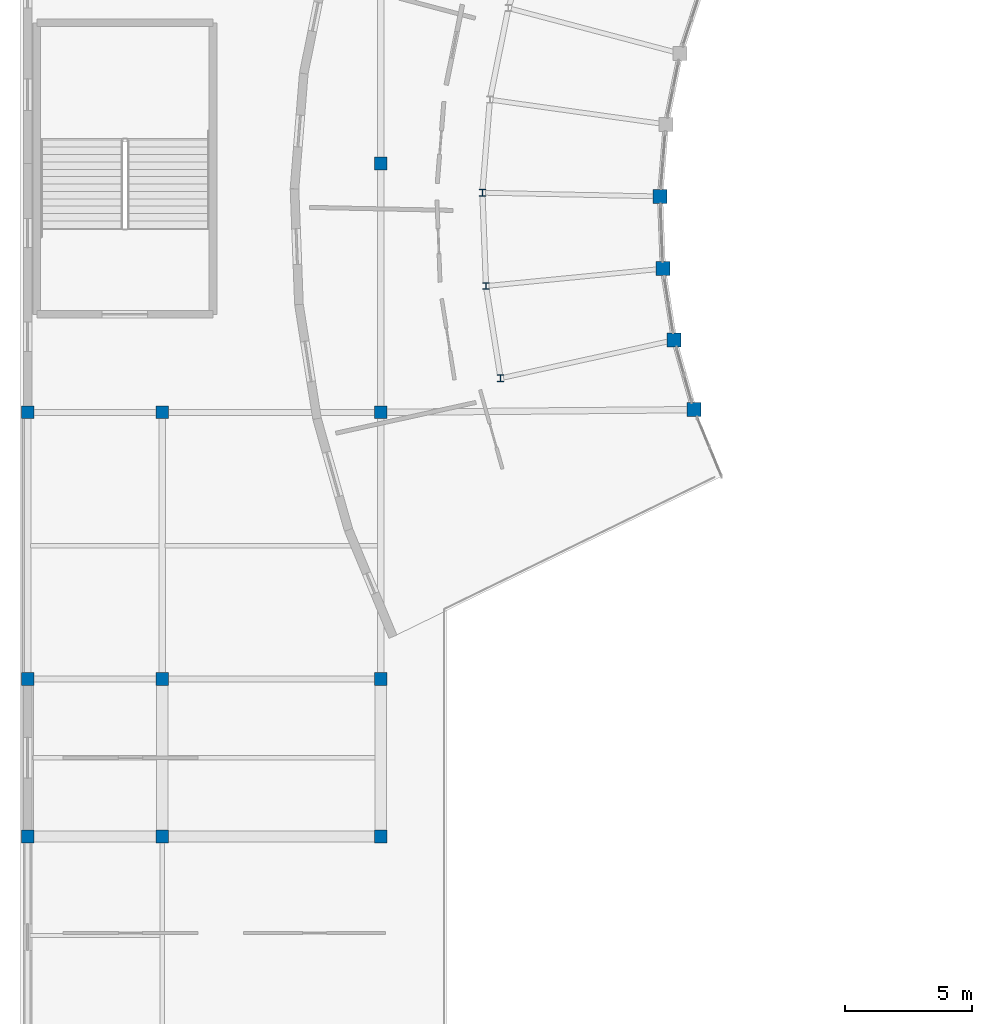
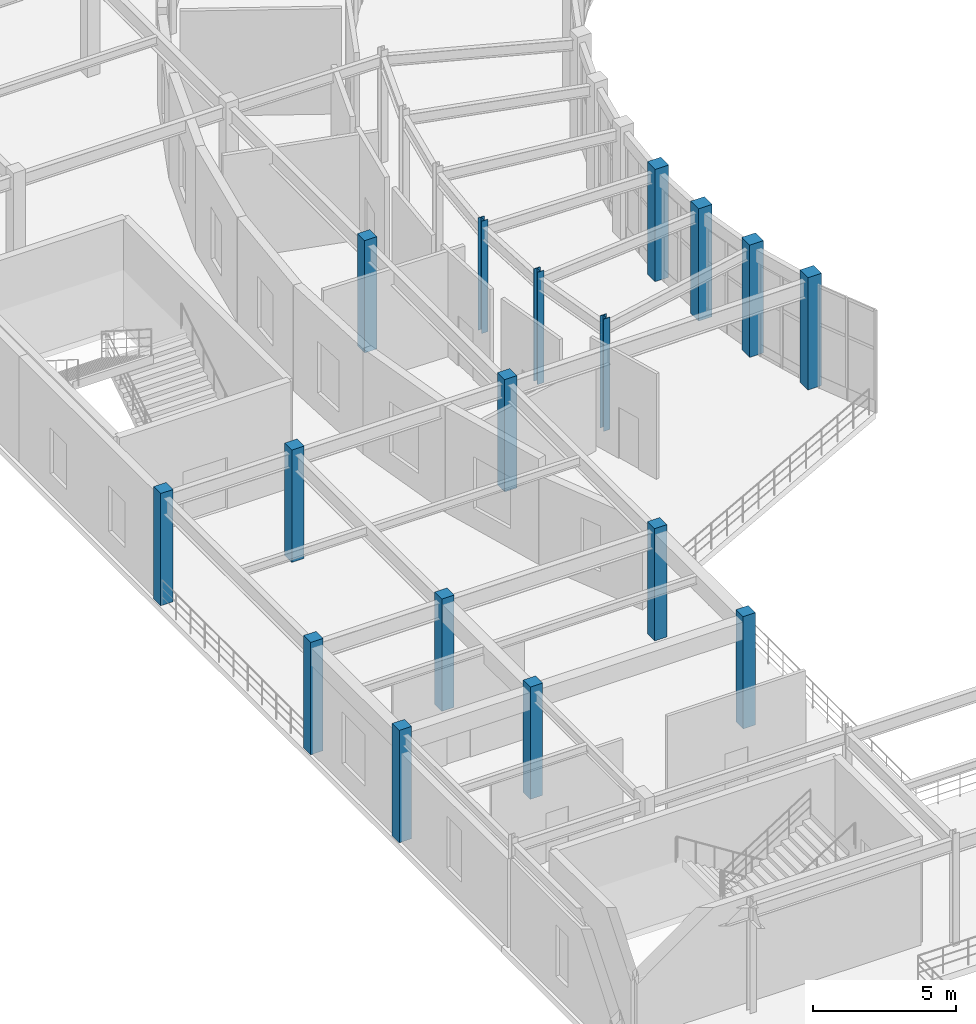
# One storey, part 6 of 144: 17 columns.
"""IFC4 building model written with IfcOpenShell, lengths in metres."""

from ifc_helpers import new_model, si_unit, direction, frame, origin, origin_2d, place, context, subcontext, project, spatial, rectangle, i_section, extrude, material, material_profile, profile_set, type_object, element, save


model = new_model("IFC4")

# Units and contexts
model_context = context("Model", 3, precision=1e-05, world=origin(), true_north=direction((0.0, 1.0)))
body_context = subcontext(model_context, "Body", "Model", "MODEL_VIEW")
ifc_project = project(units=[si_unit("LENGTHUNIT", "METRE"), si_unit("AREAUNIT", "SQUARE_METRE"), si_unit("VOLUMEUNIT", "CUBIC_METRE"), si_unit("PLANEANGLEUNIT", "RADIAN"), si_unit("MASSUNIT", "GRAM", prefix="KILO")], contexts=[model_context])

# Site, building, storey
site_placement = place(None, origin())
site = spatial("IfcSite", under=ifc_project, at=site_placement, CompositionType="ELEMENT")
building_placement = place(site_placement, origin())
building = spatial("IfcBuilding", under=site, at=building_placement, Name="Cinderbank Siding Concert Hall", CompositionType="ELEMENT")
storey_placement = place(building_placement, frame((0.0, 0.0, 5.39990234375)))
storey = spatial("IfcBuildingStorey", under=building, at=storey_placement, Name="L02", CompositionType="ELEMENT", Elevation=5.39990234375)

# Columns
ifc_material_1 = material(Name="Reinforced concrete AS 3600 N50 (50 MPa)", Category="concrete")
ifc_material_profile_1 = material_profile(ifc_material_1, rectangle(XDim=0.5, YDim=0.5, at=origin_2d()), Name="RC-COL-500x500", Category="LoadBearing")
ifc_profile_set_1 = profile_set([ifc_material_profile_1], Name="Reinforced concrete AS 3600 N50 (50 MPa)")
column_type_1 = type_object("IfcColumnType", Name="C-RC500 RC-COL-500x500", PredefinedType="COLUMN", material=ifc_profile_set_1)
for number, where, z_axis, x_axis, name in (
    (1, (7.10009765625, 43.300048828125, 0.0), (0.0, 0.0, 1.0), (1.0, 0.0, 0.0), "L02 Column COL-WL-1-1"),
    (2, (7.10009765625, 49.5, 0.0), (0.0, 0.0, 1.0), (1.0, 0.0, 0.0), "L02 Column COL-WL-1-2"),
    (3, (7.10009765625, 60.0, 0.0), (0.0, 0.0, 1.0), (1.0, 0.0, 0.0), "L02 Column COL-WL-1-3"),
    (4, (12.39990234375, 43.300048828125, 0.0), (0.0, 0.0, 1.0), (1.0, 0.0, 0.0), "L02 Column COL-WL-2-1"),
    (5, (12.39990234375, 49.5, 0.0), (0.0, 0.0, 1.0), (1.0, 0.0, 0.0), "L02 Column COL-WL-2-2"),
    (6, (12.39990234375, 60.0, 0.0), (0.0, 0.0, 1.0), (1.0, 0.0, 0.0), "L02 Column COL-WL-2-3"),
    (7, (21.0, 43.300048828125, 0.0), (0.0, 0.0, 1.0), (1.0, 0.0, 0.0), "L02 Column COL-WL-3-1"),
    (8, (21.0, 49.5, 0.0), (0.0, 0.0, 1.0), (1.0, 0.0, 0.0), "L02 Column COL-WL-3-2"),
    (9, (21.0, 60.0, 0.0), (0.0, 0.0, 1.0), (1.0, 0.0, 0.0), "L02 Column COL-WL-3-3"),
    (10, (21.0, 69.800048828125, 0.0), (0.0, 0.0, 1.0), (1.0, 0.0, 0.0), "L02 Column COL-WL-3-4"),
):
    element("IfcColumn", number, at=place(storey_placement, frame(where, z_axis=z_axis, x_axis=x_axis)), inside=storey, type_object=column_type_1, Name=name, PredefinedType="COLUMN", context=body_context, shape_type="SweptSolid", body=[
        extrude(rectangle(XDim=0.5, YDim=0.5, at=origin_2d()), origin(), (0.0, 0.0, 1.0), 4.800048828125),
    ])
ifc_material_profile_2 = material_profile(ifc_material_1, rectangle(XDim=0.550048828125, YDim=0.550048828125, at=origin_2d()), Name="RC-COL-550x550", Category="LoadBearing")
ifc_profile_set_2 = profile_set([ifc_material_profile_2], Name="Reinforced concrete AS 3600 N50 (50 MPa)")
column_type_2 = type_object("IfcColumnType", Name="C-RC550 RC-COL-550x550", PredefinedType="COLUMN", material=ifc_profile_set_2)
for number, where, z_axis, x_axis, name in (
    (11, (32.0048828125, 68.5029296875, 0.0), (0.0, 0.0, 1.0), (1.0, 0.0, 0.0), "L02 Column COL-WIN-12"),
    (12, (32.114013671875, 65.657958984375, 0.0), (0.0, 0.0, 1.0), (1.0, 0.0, 0.0), "L02 Column COL-WIN-13"),
    (13, (32.56005859375, 62.845947265625, 0.0), (0.0, 0.0, 1.0), (1.0, 0.0, 0.0), "L02 Column COL-WIN-14"),
    (14, (33.3349609375, 60.10693359375, 0.0), (0.0, 0.0, 1.0), (1.0, 0.0, 0.0), "L02 Column COL-WIN-15"),
):
    element("IfcColumn", number, at=place(storey_placement, frame(where, z_axis=z_axis, x_axis=x_axis)), inside=storey, type_object=column_type_2, Name=name, PredefinedType="COLUMN", context=body_context, shape_type="SweptSolid", body=[
        extrude(rectangle(XDim=0.550048828125, YDim=0.550048828125, at=origin_2d()), origin(), (0.0, 0.0, 1.0), 4.800048828125),
    ])
ifc_material_2 = material(Name="Structural steel AS/NZS 3679.1 Grade 350 (340 MPa)", Category="steel")
ifc_material_profile_3 = material_profile(ifc_material_2, i_section(OverallWidth=0.256103515625, OverallDepth=0.260009765625, WebThickness=0.010498046875, FlangeThickness=0.017333984375, at=origin_2d()), Name="250UC89.5", Category="LoadBearing")
ifc_profile_set_3 = profile_set([ifc_material_profile_3], Name="Structural steel AS/NZS 3679.1 Grade 350 (340 MPa)")
column_type_3 = type_object("IfcColumnType", Name="C-UC250H 250UC89.5", PredefinedType="COLUMN", material=ifc_profile_set_3)
for number, where, z_axis, x_axis, name in (
    (15, (25.007080078125, 68.64892578125, 0.0), (0.0, 0.0, 1.0), (1.0, 0.0, 0.0), "L02 Column COL-WMID-12"),
    (16, (25.14794921875, 64.97509765625, 0.0), (0.0, 0.0, 1.0), (1.0, 0.0, 0.0), "L02 Column COL-WMID-13"),
    (17, (25.722900390625, 61.343017578125, 0.0), (0.0, 0.0, 1.0), (1.0, 0.0, 0.0), "L02 Column COL-WMID-14"),
):
    element("IfcColumn", number, at=place(storey_placement, frame(where, z_axis=z_axis, x_axis=x_axis)), inside=storey, type_object=column_type_3, Name=name, PredefinedType="COLUMN", context=body_context, shape_type="SweptSolid", body=[
        extrude(i_section(OverallWidth=0.256103515625, OverallDepth=0.260009765625, WebThickness=0.010498046875, FlangeThickness=0.017333984375, at=origin_2d()), origin(), (0.0, 0.0, 1.0), 4.800048828125),
    ])

save(model, "model.ifc")
